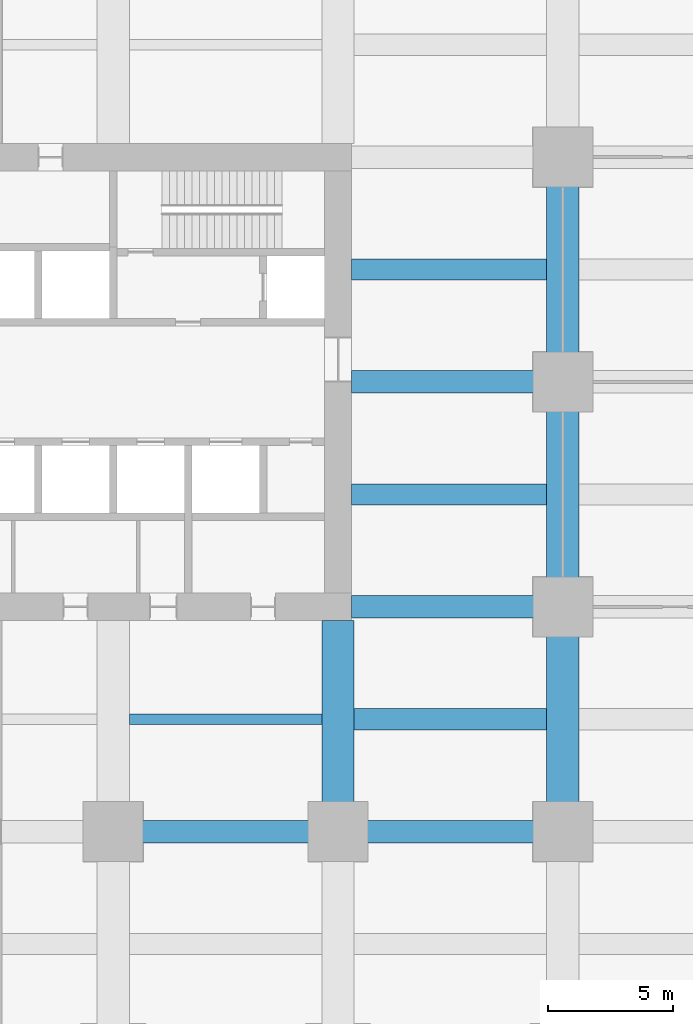
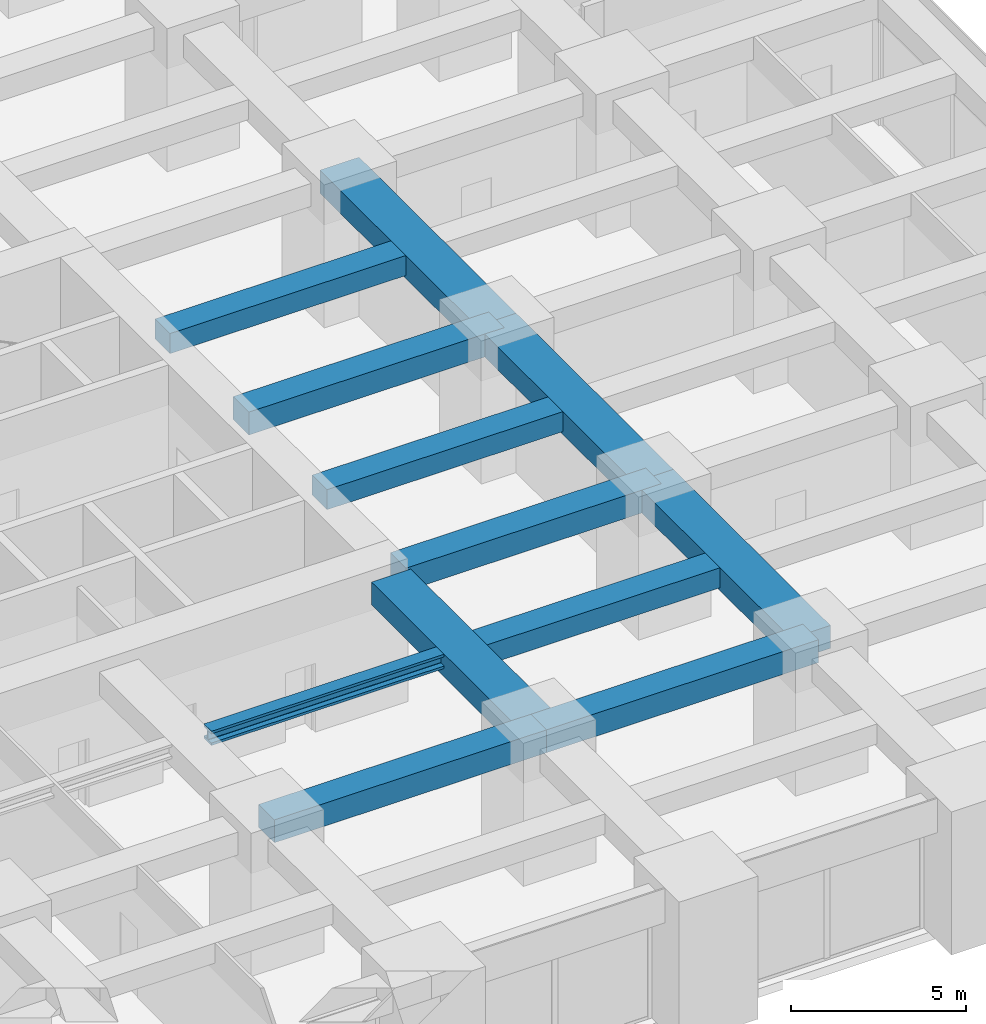
# One storey, part 17 of 46: 12 beams.
"""IFC4 building model written with IfcOpenShell, lengths in metres."""

from ifc_helpers import new_model, si_unit, direction, frame, origin, origin_2d, place, context, subcontext, project, spatial, rectangle, i_section, extrude, material, material_profile, profile_set, type_object, element, save


model = new_model("IFC4")

# Units and contexts
model_context = context("Model", 3, precision=1e-05, world=origin(), true_north=direction((0.0, 1.0)))
body_context = subcontext(model_context, "Body", "Model", "MODEL_VIEW")
ifc_project = project(units=[si_unit("LENGTHUNIT", "METRE"), si_unit("AREAUNIT", "SQUARE_METRE"), si_unit("VOLUMEUNIT", "CUBIC_METRE"), si_unit("PLANEANGLEUNIT", "RADIAN"), si_unit("MASSUNIT", "GRAM", prefix="KILO")], contexts=[model_context])

# Site, building, storey
site_placement = place(None, origin())
site = spatial("IfcSite", under=ifc_project, at=site_placement, CompositionType="ELEMENT")
building_placement = place(site_placement, origin())
building = spatial("IfcBuilding", under=site, at=building_placement, Name="Zorevar Civic Tower", CompositionType="ELEMENT")
storey_placement = place(building_placement, frame((0.0, 0.0, 10.800048828125)))
storey = spatial("IfcBuildingStorey", under=building, at=storey_placement, Name="L02", CompositionType="ELEMENT", Elevation=10.800048828125)

# Beams
ifc_material_1 = material(Name="Concrete C50/60", Category="concrete")
ifc_material_profile_1 = material_profile(ifc_material_1, rectangle(XDim=1.300048828125, YDim=0.800048828125, at=origin_2d()), Name="RC 1300x800")
ifc_profile_set_1 = profile_set([ifc_material_profile_1], Name="Concrete C50/60")
beam_type_1 = type_object("IfcBeamType", Name="Beam RC 1300x800", PredefinedType="BEAM", material=ifc_profile_set_1)
beam_1_placement = place(storey_placement, frame((45.0, 9.0, 4.199951171875), z_axis=(0.0, 1.0, 0.0), x_axis=(-1.0, 0.0, 0.0)))
element("IfcBeam", 1, at=beam_1_placement, inside=storey, type_object=beam_type_1, Name="Girder L03", PredefinedType="BEAM", context=body_context, shape_type="SweptSolid", body=[
    extrude(rectangle(XDim=1.300048828125, YDim=0.800048828125, at=origin_2d()), origin(), (0.0, 0.0, 1.0), 8.449951171875),
])
for number, where, z_axis, x_axis, name in (
    (2, (54.0, 9.0, 4.199951171875), (0.0, 1.0, 0.0), (-1.0, 0.0, 0.0), "Girder L03"),
    (3, (54.0, 18.0, 4.199951171875), (0.0, 1.0, 0.0), (-1.0, 0.0, 0.0), "Girder L03"),
    (4, (54.0, 27.0, 4.199951171875), (0.0, 1.0, 0.0), (-1.0, 0.0, 0.0), "Girder L03"),
):
    element("IfcBeam", number, at=place(storey_placement, frame(where, z_axis=z_axis, x_axis=x_axis)), inside=storey, type_object=beam_type_1, Name=name, PredefinedType="BEAM", context=body_context, shape_type="SweptSolid", body=[
        extrude(rectangle(XDim=1.300048828125, YDim=0.800048828125, at=origin_2d()), origin(), (0.0, 0.0, 1.0), 9.0),
    ])
ifc_material_2 = material(Name="Concrete C50/60", Category="concrete")
ifc_material_profile_2 = material_profile(ifc_material_2, rectangle(XDim=0.85009765625, YDim=0.699951171875, at=origin_2d()), Name="RC 850x700")
ifc_profile_set_2 = profile_set([ifc_material_profile_2], Name="Concrete C50/60")
beam_type_2 = type_object("IfcBeamType", Name="Beam RC 850x700", PredefinedType="BEAM", material=ifc_profile_set_2)
beam_2_placement = place(storey_placement, frame((45.64990234375, 13.5, 4.25), z_axis=(1.0, 0.0, 0.0), x_axis=(0.0, 1.0, 0.0)))
element("IfcBeam", 5, at=beam_2_placement, inside=storey, type_object=beam_type_2, Name="Secondary beam L03", PredefinedType="BEAM", context=body_context, shape_type="SweptSolid", body=[
    extrude(rectangle(XDim=0.85009765625, YDim=0.699951171875, at=origin_2d()), origin(), (0.0, 0.0, 1.0), 7.7001953125),
])
for number, where, z_axis, x_axis, name in (
    (6, (45.550048828125, 22.5, 4.25), (1.0, 0.0, 0.0), (0.0, 1.0, 0.0), "Secondary beam L03"),
    (7, (45.550048828125, 31.5, 4.25), (1.0, 0.0, 0.0), (0.0, 1.0, 0.0), "Secondary beam L03"),
):
    element("IfcBeam", number, at=place(storey_placement, frame(where, z_axis=z_axis, x_axis=x_axis)), inside=storey, type_object=beam_type_2, Name=name, PredefinedType="BEAM", context=body_context, shape_type="SweptSolid", body=[
        extrude(rectangle(XDim=0.85009765625, YDim=0.699951171875, at=origin_2d()), origin(), (0.0, 0.0, 1.0), 7.800048828125),
    ])
ifc_material_3 = material(Name="Concrete C50/60", Category="concrete")
ifc_material_profile_3 = material_profile(ifc_material_3, rectangle(XDim=0.89990234375, YDim=0.800048828125, at=origin_2d()), Name="RC 900x800")
ifc_profile_set_3 = profile_set([ifc_material_profile_3], Name="Concrete C50/60")
beam_type_3 = type_object("IfcBeamType", Name="Beam RC 900x800", PredefinedType="BEAM", material=ifc_profile_set_3)
for number, where, z_axis, x_axis, name in (
    (8, (36.0, 9.0, 4.199951171875), (1.0, 0.0, 0.0), (0.0, 1.0, 0.0), "Girder L03"),
    (9, (45.0, 9.0, 4.199951171875), (1.0, 0.0, 0.0), (0.0, 1.0, 0.0), "Girder L03"),
):
    element("IfcBeam", number, at=place(storey_placement, frame(where, z_axis=z_axis, x_axis=x_axis)), inside=storey, type_object=beam_type_3, Name=name, PredefinedType="BEAM", context=body_context, shape_type="SweptSolid", body=[
        extrude(rectangle(XDim=0.89990234375, YDim=0.800048828125, at=origin_2d()), origin(), (0.0, 0.0, 1.0), 9.0),
    ])
for number, where, z_axis, x_axis, name in (
    (10, (45.550048828125, 18.0, 4.199951171875), (1.0, 0.0, 0.0), (0.0, 1.0, 0.0), "Girder L03"),
    (11, (45.550048828125, 27.0, 4.199951171875), (1.0, 0.0, 0.0), (0.0, 1.0, 0.0), "Girder L03"),
):
    element("IfcBeam", number, at=place(storey_placement, frame(where, z_axis=z_axis, x_axis=x_axis)), inside=storey, type_object=beam_type_3, Name=name, PredefinedType="BEAM", context=body_context, shape_type="SweptSolid", body=[
        extrude(rectangle(XDim=0.89990234375, YDim=0.800048828125, at=origin_2d()), origin(), (0.0, 0.0, 1.0), 8.449951171875),
    ])
ifc_material_4 = material(Name="Steel S460M (HISTAR 460)", Category="steel")
ifc_material_profile_4 = material_profile(ifc_material_4, i_section(OverallWidth=0.431884765625, OverallDepth=0.498046875, WebThickness=0.0556640625, FlangeThickness=0.0888671875, FilletRadius=0.014892578125, at=origin_2d()), Name="HD 400x744")
ifc_profile_set_4 = profile_set([ifc_material_profile_4], Name="Steel S460M (HISTAR 460)")
beam_type_4 = type_object("IfcBeamType", Name="Core bay beam HD 400x744", PredefinedType="BEAM", material=ifc_profile_set_4)
beam_3_placement = place(storey_placement, frame((36.64990234375, 13.5, 4.350830078125), z_axis=(1.0, 0.0, 0.0), x_axis=(0.0, 1.0, 0.0)))
element("IfcBeam", 12, at=beam_3_placement, inside=storey, type_object=beam_type_4, Name="Secondary beam L03", PredefinedType="BEAM", context=body_context, shape_type="SweptSolid", body=[
    extrude(i_section(OverallWidth=0.431884765625, OverallDepth=0.498046875, WebThickness=0.0556640625, FlangeThickness=0.0888671875, FilletRadius=0.014892578125, at=origin_2d()), origin(), (0.0, 0.0, 1.0), 7.7001953125),
])

save(model, "model.ifc")
